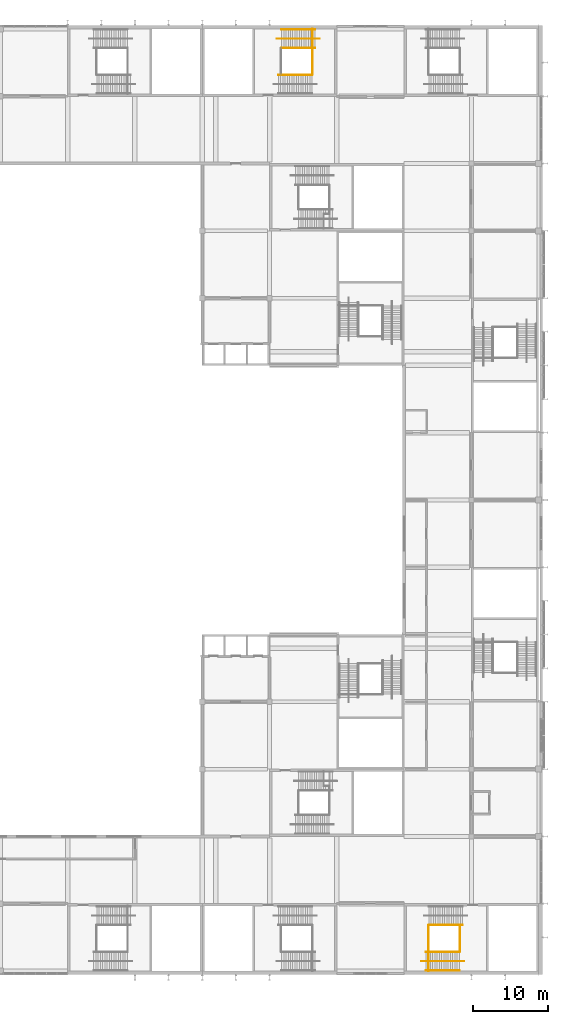
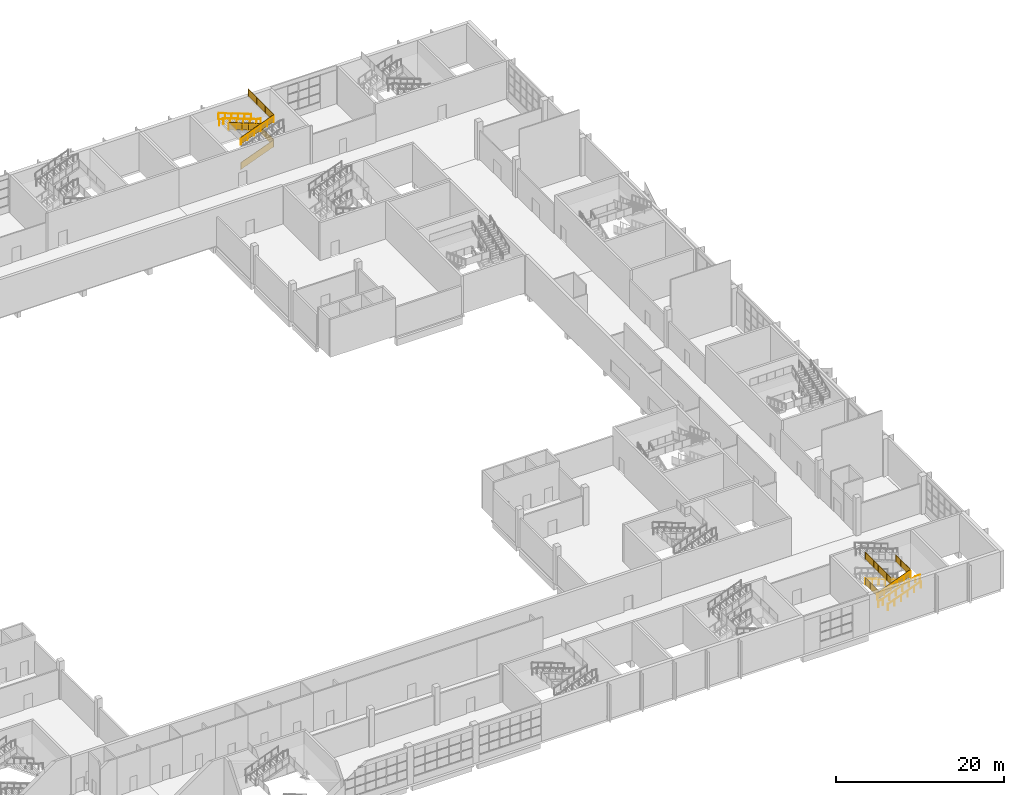
# One storey, part 78 of 84: 17 railings.
"""IFC4 building model written with IfcOpenShell, lengths in metres."""

from ifc_helpers import new_model, si_unit, direction, frame, origin, origin_2d, place, context, subcontext, project, spatial, polyline, circle, outline, extrude, material, type_object, element, save


model = new_model("IFC4")

# Units and contexts
model_context = context("Model", 3, precision=1e-05, world=origin(), true_north=direction((0.0, 1.0)))
body_context = subcontext(model_context, "Body", "Model", "MODEL_VIEW")
ifc_project = project(units=[si_unit("LENGTHUNIT", "METRE"), si_unit("AREAUNIT", "SQUARE_METRE"), si_unit("VOLUMEUNIT", "CUBIC_METRE"), si_unit("PLANEANGLEUNIT", "RADIAN"), si_unit("MASSUNIT", "GRAM", prefix="KILO")], contexts=[model_context])

# Site, building, storey
site_placement = place(None, origin())
site = spatial("IfcSite", under=ifc_project, at=site_placement, CompositionType="ELEMENT")
building_placement = place(site_placement, origin())
building = spatial("IfcBuilding", under=site, at=building_placement, Name="Silverbay Arena", CompositionType="ELEMENT")
storey_placement = place(building_placement, frame((0.0, 0.0, 28.0)))
storey = spatial("IfcBuildingStorey", under=building, at=storey_placement, Name="L04", CompositionType="ELEMENT", Elevation=28.0)

# Railings
ifc_material_1 = material(Name="Stainless steel", Category="steel")
railing_type_1 = type_object("IfcRailingType", Name="Stair guard 1100", PredefinedType="GUARDRAIL", material=ifc_material_1)
railing_1_placement = place(storey_placement, frame((172.1796875, 137.875, 0.114501953125)))
element("IfcRailing", 1, at=railing_1_placement, inside=storey, type_object=railing_type_1, Name="Stair ST-N4 L04 to L05 flight 1 guard right", PredefinedType="GUARDRAIL", context=body_context, shape_type="SweptSolid", body=[
    extrude(circle(Radius=0.02392578125, at=origin_2d()), frame((0.0, 0.0, 1.076171875), z_axis=(0.93417907455, 0.0, 0.356804507641), x_axis=(0.0, 1.0, 0.0)), (0.0, 0.0, 1.0), 4.817138671875),
    extrude(outline(polyline([(-0.008056640625, 0.046875), (0.907958984375, 0.396728515625), (0.907958984375, 1.39990234375), (-0.008056640625, 1.050048828125), (-0.008056640625, 0.046875)])), frame((0.0, 0.0029296875, 0.0), z_axis=(0.0, -1.0, 0.0), x_axis=(1.0, 0.0, 0.0)), (0.0, 0.0, 1.0), 0.006103515625),
    extrude(outline(polyline([(-0.008056640625, 0.390625), (0.907958984375, 0.740478515625), (0.907958984375, 1.74365234375), (-0.008056640625, 1.393798828125), (-0.008056640625, 0.390625)])), frame((0.89990234375, 0.0029296875, 0.0), z_axis=(0.0, -1.0, 0.0), x_axis=(1.0, 0.0, 0.0)), (0.0, 0.0, 1.0), 0.006103515625),
    extrude(outline(polyline([(-0.008056640625, 0.734375), (0.907958984375, 1.084228515625), (0.907958984375, 2.08740234375), (-0.008056640625, 1.737548828125), (-0.008056640625, 0.734375)])), frame((1.800048828125, 0.0029296875, 0.0), z_axis=(0.0, -1.0, 0.0), x_axis=(1.0, 0.0, 0.0)), (0.0, 0.0, 1.0), 0.006103515625),
    extrude(outline(polyline([(-0.008056640625, 1.078125), (0.907958984375, 1.427978515625), (0.907958984375, 2.43115234375), (-0.008056640625, 2.081298828125), (-0.008056640625, 1.078125)])), frame((2.699951171875, 0.0029296875, 0.0), z_axis=(0.0, -1.0, 0.0), x_axis=(1.0, 0.0, 0.0)), (0.0, 0.0, 1.0), 0.006103515625),
    extrude(outline(polyline([(-0.008056640625, 1.421875), (0.907958984375, 1.771728515625), (0.907958984375, 2.77490234375), (-0.008056640625, 2.425048828125), (-0.008056640625, 1.421875)])), frame((3.60009765625, 0.0029296875, 0.0), z_axis=(0.0, -1.0, 0.0), x_axis=(1.0, 0.0, 0.0)), (0.0, 0.0, 1.0), 0.006103515625),
    extrude(circle(Radius=0.02099609375, at=origin_2d()), origin(), (0.0, 0.0, 1.0), 1.052001953125),
    extrude(circle(Radius=0.02099609375, at=origin_2d()), frame((0.89990234375, 0.0, 0.34375)), (0.0, 0.0, 1.0), 1.052001953125),
    extrude(circle(Radius=0.02099609375, at=origin_2d()), frame((1.800048828125, 0.0, 0.6875)), (0.0, 0.0, 1.0), 1.052001953125),
    extrude(circle(Radius=0.02099609375, at=origin_2d()), frame((2.699951171875, 0.0, 1.03125)), (0.0, 0.0, 1.0), 1.052001953125),
    extrude(circle(Radius=0.02099609375, at=origin_2d()), frame((3.60009765625, 0.0, 1.375)), (0.0, 0.0, 1.0), 1.052001953125),
    extrude(circle(Radius=0.02099609375, at=origin_2d()), frame((4.5, 0.0, 1.71875)), (0.0, 0.0, 1.0), 1.052001953125),
])
railing_2_placement = place(storey_placement, frame((177.10009765625, 141.425048828125, 1.947998046875)))
element("IfcRailing", 2, at=railing_2_placement, inside=storey, type_object=railing_type_1, Name="Stair ST-N4 L04 to L05 flight 2 guard left", PredefinedType="GUARDRAIL", context=body_context, shape_type="SweptSolid", body=[
    extrude(circle(Radius=0.02392578125, at=origin_2d()), frame((0.0, 0.0, 1.076171875), z_axis=(-0.93417907455, 0.0, 0.356804507641), x_axis=(0.0, -1.0, 0.0)), (0.0, 0.0, 1.0), 4.817138671875),
    extrude(outline(polyline([(-0.008056640625, 0.046875), (0.907958984375, 0.396728515625), (0.907958984375, 1.39990234375), (-0.008056640625, 1.050048828125), (-0.008056640625, 0.046875)])), frame((0.0, -0.0029296875, 0.0), z_axis=(0.0, 1.0, 0.0), x_axis=(-1.0, 0.0, 0.0)), (0.0, 0.0, 1.0), 0.006103515625),
    extrude(outline(polyline([(-0.008056640625, 0.390625), (0.907958984375, 0.740478515625), (0.907958984375, 1.74365234375), (-0.008056640625, 1.393798828125), (-0.008056640625, 0.390625)])), frame((-0.89990234375, -0.0029296875, 0.0), z_axis=(0.0, 1.0, 0.0), x_axis=(-1.0, 0.0, 0.0)), (0.0, 0.0, 1.0), 0.006103515625),
    extrude(outline(polyline([(-0.008056640625, 0.734375), (0.907958984375, 1.084228515625), (0.907958984375, 2.08740234375), (-0.008056640625, 1.737548828125), (-0.008056640625, 0.734375)])), frame((-1.800048828125, -0.0029296875, 0.0), z_axis=(0.0, 1.0, 0.0), x_axis=(-1.0, 0.0, 0.0)), (0.0, 0.0, 1.0), 0.006103515625),
    extrude(outline(polyline([(-0.008056640625, 1.078125), (0.907958984375, 1.427978515625), (0.907958984375, 2.43115234375), (-0.008056640625, 2.081298828125), (-0.008056640625, 1.078125)])), frame((-2.699951171875, -0.0029296875, 0.0), z_axis=(0.0, 1.0, 0.0), x_axis=(-1.0, 0.0, 0.0)), (0.0, 0.0, 1.0), 0.006103515625),
    extrude(outline(polyline([(-0.008056640625, 1.421875), (0.907958984375, 1.771728515625), (0.907958984375, 2.77490234375), (-0.008056640625, 2.425048828125), (-0.008056640625, 1.421875)])), frame((-3.60009765625, -0.0029296875, 0.0), z_axis=(0.0, 1.0, 0.0), x_axis=(-1.0, 0.0, 0.0)), (0.0, 0.0, 1.0), 0.006103515625),
    extrude(circle(Radius=0.02099609375, at=origin_2d()), origin(), (0.0, 0.0, 1.0), 1.052001953125),
    extrude(circle(Radius=0.02099609375, at=origin_2d()), frame((-0.89990234375, 0.0, 0.34375)), (0.0, 0.0, 1.0), 1.052001953125),
    extrude(circle(Radius=0.02099609375, at=origin_2d()), frame((-1.800048828125, 0.0, 0.6875)), (0.0, 0.0, 1.0), 1.052001953125),
    extrude(circle(Radius=0.02099609375, at=origin_2d()), frame((-2.699951171875, 0.0, 1.03125)), (0.0, 0.0, 1.0), 1.052001953125),
    extrude(circle(Radius=0.02099609375, at=origin_2d()), frame((-3.60009765625, 0.0, 1.375)), (0.0, 0.0, 1.0), 1.052001953125),
    extrude(circle(Radius=0.02099609375, at=origin_2d()), frame((-4.5, 0.0, 1.71875)), (0.0, 0.0, 1.0), 1.052001953125),
])
railing_3_placement = place(storey_placement, frame((172.1796875, 137.875, 3.78125)))
element("IfcRailing", 3, at=railing_3_placement, inside=storey, type_object=railing_type_1, Name="Stair ST-N4 L04 to L05 flight 3 guard right", PredefinedType="GUARDRAIL", context=body_context, shape_type="SweptSolid", body=[
    extrude(circle(Radius=0.02392578125, at=origin_2d()), frame((0.0, 0.0, 1.076171875), z_axis=(0.93417907455, 0.0, 0.356804507641), x_axis=(0.0, 1.0, 0.0)), (0.0, 0.0, 1.0), 4.817138671875),
    extrude(outline(polyline([(-0.008056640625, 0.046875), (0.907958984375, 0.396728515625), (0.907958984375, 1.39990234375), (-0.008056640625, 1.050048828125), (-0.008056640625, 0.046875)])), frame((0.0, 0.0029296875, 0.0), z_axis=(0.0, -1.0, 0.0), x_axis=(1.0, 0.0, 0.0)), (0.0, 0.0, 1.0), 0.006103515625),
    extrude(outline(polyline([(-0.008056640625, 0.390625), (0.907958984375, 0.740478515625), (0.907958984375, 1.74365234375), (-0.008056640625, 1.393798828125), (-0.008056640625, 0.390625)])), frame((0.89990234375, 0.0029296875, 0.0), z_axis=(0.0, -1.0, 0.0), x_axis=(1.0, 0.0, 0.0)), (0.0, 0.0, 1.0), 0.006103515625),
    extrude(outline(polyline([(-0.008056640625, 0.734375), (0.907958984375, 1.084228515625), (0.907958984375, 2.08740234375), (-0.008056640625, 1.737548828125), (-0.008056640625, 0.734375)])), frame((1.800048828125, 0.0029296875, 0.0), z_axis=(0.0, -1.0, 0.0), x_axis=(1.0, 0.0, 0.0)), (0.0, 0.0, 1.0), 0.006103515625),
    extrude(outline(polyline([(-0.008056640625, 1.078125), (0.907958984375, 1.427978515625), (0.907958984375, 2.43115234375), (-0.008056640625, 2.081298828125), (-0.008056640625, 1.078125)])), frame((2.699951171875, 0.0029296875, 0.0), z_axis=(0.0, -1.0, 0.0), x_axis=(1.0, 0.0, 0.0)), (0.0, 0.0, 1.0), 0.006103515625),
    extrude(outline(polyline([(-0.008056640625, 1.421875), (0.907958984375, 1.771728515625), (0.907958984375, 2.77490234375), (-0.008056640625, 2.425048828125), (-0.008056640625, 1.421875)])), frame((3.60009765625, 0.0029296875, 0.0), z_axis=(0.0, -1.0, 0.0), x_axis=(1.0, 0.0, 0.0)), (0.0, 0.0, 1.0), 0.006103515625),
    extrude(circle(Radius=0.02099609375, at=origin_2d()), origin(), (0.0, 0.0, 1.0), 1.052001953125),
    extrude(circle(Radius=0.02099609375, at=origin_2d()), frame((0.89990234375, 0.0, 0.34375)), (0.0, 0.0, 1.0), 1.052001953125),
    extrude(circle(Radius=0.02099609375, at=origin_2d()), frame((1.800048828125, 0.0, 0.6875)), (0.0, 0.0, 1.0), 1.052001953125),
    extrude(circle(Radius=0.02099609375, at=origin_2d()), frame((2.699951171875, 0.0, 1.03125)), (0.0, 0.0, 1.0), 1.052001953125),
    extrude(circle(Radius=0.02099609375, at=origin_2d()), frame((3.60009765625, 0.0, 1.375)), (0.0, 0.0, 1.0), 1.052001953125),
    extrude(circle(Radius=0.02099609375, at=origin_2d()), frame((4.5, 0.0, 1.71875)), (0.0, 0.0, 1.0), 1.052001953125),
])
railing_4_placement = place(storey_placement, frame((176.7294921875, 137.89990234375, 1.833251953125)))
element("IfcRailing", 4, at=railing_4_placement, inside=storey, type_object=railing_type_1, Name="Stair ST-N4 L04 to L05 landing 1 guard", PredefinedType="GUARDRAIL", context=body_context, shape_type="SweptSolid", body=[
    extrude(circle(Radius=0.02392578125, at=origin_2d()), frame((0.0, 0.0, 1.076171875), z_axis=(0.0, 1.0, 0.0), x_axis=(-1.0, 0.0, 0.0)), (0.0, 0.0, 1.0), 3.5),
    extrude(outline(polyline([(-0.008056640625, 0.050048828125), (1.174560546875, 0.050048828125), (1.174560546875, 1.052978515625), (-0.008056640625, 1.052978515625), (-0.008056640625, 0.050048828125)])), frame((-0.0029296875, 0.0, 0.0), z_axis=(1.0, 0.0, 0.0), x_axis=(0.0, 1.0, 0.0)), (0.0, 0.0, 1.0), 0.006103515625),
    extrude(outline(polyline([(-0.008056640625, 0.050048828125), (1.174560546875, 0.050048828125), (1.174560546875, 1.052978515625), (-0.008056640625, 1.052978515625), (-0.008056640625, 0.050048828125)])), frame((-0.0029296875, 1.166748046875, 0.0), z_axis=(1.0, 0.0, 0.0), x_axis=(0.0, 1.0, 0.0)), (0.0, 0.0, 1.0), 0.006103515625),
    extrude(outline(polyline([(-0.008056640625, 0.050048828125), (1.174560546875, 0.050048828125), (1.174560546875, 1.052978515625), (-0.008056640625, 1.052978515625), (-0.008056640625, 0.050048828125)])), frame((-0.0029296875, 2.333251953125, 0.0), z_axis=(1.0, 0.0, 0.0), x_axis=(0.0, 1.0, 0.0)), (0.0, 0.0, 1.0), 0.006103515625),
    extrude(circle(Radius=0.02099609375, at=origin_2d()), origin(), (0.0, 0.0, 1.0), 1.052001953125),
    extrude(circle(Radius=0.02099609375, at=origin_2d()), frame((0.0, 1.166748046875, 0.0)), (0.0, 0.0, 1.0), 1.052001953125),
    extrude(circle(Radius=0.02099609375, at=origin_2d()), frame((0.0, 2.333251953125, 0.0)), (0.0, 0.0, 1.0), 1.052001953125),
    extrude(circle(Radius=0.02099609375, at=origin_2d()), frame((0.0, 3.5, 0.0)), (0.0, 0.0, 1.0), 1.052001953125),
])
railing_5_placement = place(storey_placement, frame((176.7294921875, 137.89990234375, 5.5)))
element("IfcRailing", 5, at=railing_5_placement, inside=storey, type_object=railing_type_1, Name="Stair ST-N4 L04 to L05 landing 3 guard", PredefinedType="GUARDRAIL", context=body_context, shape_type="SweptSolid", body=[
    extrude(circle(Radius=0.02392578125, at=origin_2d()), frame((0.0, 0.0, 1.076171875), z_axis=(0.0, 1.0, 0.0), x_axis=(-1.0, 0.0, 0.0)), (0.0, 0.0, 1.0), 6.10009765625),
    extrude(outline(polyline([(-0.008056640625, 0.050048828125), (1.024658203125, 0.050048828125), (1.024658203125, 1.052978515625), (-0.008056640625, 1.052978515625), (-0.008056640625, 0.050048828125)])), frame((-0.0029296875, 0.0, 0.0), z_axis=(1.0, 0.0, 0.0), x_axis=(0.0, 1.0, 0.0)), (0.0, 0.0, 1.0), 0.006103515625),
    extrude(outline(polyline([(-0.008056640625, 0.050048828125), (1.024658203125, 0.050048828125), (1.024658203125, 1.052978515625), (-0.008056640625, 1.052978515625), (-0.008056640625, 0.050048828125)])), frame((-0.0029296875, 1.0166015625, 0.0), z_axis=(1.0, 0.0, 0.0), x_axis=(0.0, 1.0, 0.0)), (0.0, 0.0, 1.0), 0.006103515625),
    extrude(outline(polyline([(-0.008056640625, 0.050048828125), (1.024658203125, 0.050048828125), (1.024658203125, 1.052978515625), (-0.008056640625, 1.052978515625), (-0.008056640625, 0.050048828125)])), frame((-0.0029296875, 2.033447265625, 0.0), z_axis=(1.0, 0.0, 0.0), x_axis=(0.0, 1.0, 0.0)), (0.0, 0.0, 1.0), 0.006103515625),
    extrude(outline(polyline([(-0.008056640625, 0.050048828125), (1.024658203125, 0.050048828125), (1.024658203125, 1.052978515625), (-0.008056640625, 1.052978515625), (-0.008056640625, 0.050048828125)])), frame((-0.0029296875, 3.050048828125, 0.0), z_axis=(1.0, 0.0, 0.0), x_axis=(0.0, 1.0, 0.0)), (0.0, 0.0, 1.0), 0.006103515625),
    extrude(outline(polyline([(-0.008056640625, 0.050048828125), (1.024658203125, 0.050048828125), (1.024658203125, 1.052978515625), (-0.008056640625, 1.052978515625), (-0.008056640625, 0.050048828125)])), frame((-0.0029296875, 4.066650390625, 0.0), z_axis=(1.0, 0.0, 0.0), x_axis=(0.0, 1.0, 0.0)), (0.0, 0.0, 1.0), 0.006103515625),
    extrude(outline(polyline([(-0.008056640625, 0.050048828125), (1.024658203125, 0.050048828125), (1.024658203125, 1.052978515625), (-0.008056640625, 1.052978515625), (-0.008056640625, 0.050048828125)])), frame((-0.0029296875, 5.08349609375, 0.0), z_axis=(1.0, 0.0, 0.0), x_axis=(0.0, 1.0, 0.0)), (0.0, 0.0, 1.0), 0.006103515625),
    extrude(circle(Radius=0.02099609375, at=origin_2d()), origin(), (0.0, 0.0, 1.0), 1.052001953125),
    extrude(circle(Radius=0.02099609375, at=origin_2d()), frame((0.0, 1.0166015625, 0.0)), (0.0, 0.0, 1.0), 1.052001953125),
    extrude(circle(Radius=0.02099609375, at=origin_2d()), frame((0.0, 2.033447265625, 0.0)), (0.0, 0.0, 1.0), 1.052001953125),
    extrude(circle(Radius=0.02099609375, at=origin_2d()), frame((0.0, 3.050048828125, 0.0)), (0.0, 0.0, 1.0), 1.052001953125),
    extrude(circle(Radius=0.02099609375, at=origin_2d()), frame((0.0, 4.066650390625, 0.0)), (0.0, 0.0, 1.0), 1.052001953125),
    extrude(circle(Radius=0.02099609375, at=origin_2d()), frame((0.0, 5.08349609375, 0.0)), (0.0, 0.0, 1.0), 1.052001953125),
    extrude(circle(Radius=0.02099609375, at=origin_2d()), frame((0.0, 6.10009765625, 0.0)), (0.0, 0.0, 1.0), 1.052001953125),
])
railing_6_placement = place(storey_placement, frame((191.89990234375, 20.574951171875, 1.947998046875)))
element("IfcRailing", 6, at=railing_6_placement, inside=storey, type_object=railing_type_1, Name="Stair ST-S6 L04 to L05 flight 2 guard left", PredefinedType="GUARDRAIL", context=body_context, shape_type="SweptSolid", body=[
    extrude(circle(Radius=0.02392578125, at=origin_2d()), frame((0.0, 0.0, 1.076171875), z_axis=(0.93417907455, 0.0, 0.356804507641), x_axis=(0.0, 1.0, 0.0)), (0.0, 0.0, 1.0), 4.817138671875),
    extrude(outline(polyline([(-0.008056640625, 0.046875), (0.907958984375, 0.396728515625), (0.907958984375, 1.39990234375), (-0.008056640625, 1.050048828125), (-0.008056640625, 0.046875)])), frame((0.0, 0.0029296875, 0.0), z_axis=(0.0, -1.0, 0.0), x_axis=(1.0, 0.0, 0.0)), (0.0, 0.0, 1.0), 0.006103515625),
    extrude(outline(polyline([(-0.008056640625, 0.390625), (0.907958984375, 0.740478515625), (0.907958984375, 1.74365234375), (-0.008056640625, 1.393798828125), (-0.008056640625, 0.390625)])), frame((0.89990234375, 0.0029296875, 0.0), z_axis=(0.0, -1.0, 0.0), x_axis=(1.0, 0.0, 0.0)), (0.0, 0.0, 1.0), 0.006103515625),
    extrude(outline(polyline([(-0.008056640625, 0.734375), (0.907958984375, 1.084228515625), (0.907958984375, 2.08740234375), (-0.008056640625, 1.737548828125), (-0.008056640625, 0.734375)])), frame((1.800048828125, 0.0029296875, 0.0), z_axis=(0.0, -1.0, 0.0), x_axis=(1.0, 0.0, 0.0)), (0.0, 0.0, 1.0), 0.006103515625),
    extrude(outline(polyline([(-0.008056640625, 1.078125), (0.907958984375, 1.427978515625), (0.907958984375, 2.43115234375), (-0.008056640625, 2.081298828125), (-0.008056640625, 1.078125)])), frame((2.699951171875, 0.0029296875, 0.0), z_axis=(0.0, -1.0, 0.0), x_axis=(1.0, 0.0, 0.0)), (0.0, 0.0, 1.0), 0.006103515625),
    extrude(outline(polyline([(-0.008056640625, 1.421875), (0.907958984375, 1.771728515625), (0.907958984375, 2.77490234375), (-0.008056640625, 2.425048828125), (-0.008056640625, 1.421875)])), frame((3.60009765625, 0.0029296875, 0.0), z_axis=(0.0, -1.0, 0.0), x_axis=(1.0, 0.0, 0.0)), (0.0, 0.0, 1.0), 0.006103515625),
    extrude(circle(Radius=0.02099609375, at=origin_2d()), origin(), (0.0, 0.0, 1.0), 1.052001953125),
    extrude(circle(Radius=0.02099609375, at=origin_2d()), frame((0.89990234375, 0.0, 0.34375)), (0.0, 0.0, 1.0), 1.052001953125),
    extrude(circle(Radius=0.02099609375, at=origin_2d()), frame((1.800048828125, 0.0, 0.6875)), (0.0, 0.0, 1.0), 1.052001953125),
    extrude(circle(Radius=0.02099609375, at=origin_2d()), frame((2.699951171875, 0.0, 1.03125)), (0.0, 0.0, 1.0), 1.052001953125),
    extrude(circle(Radius=0.02099609375, at=origin_2d()), frame((3.60009765625, 0.0, 1.375)), (0.0, 0.0, 1.0), 1.052001953125),
    extrude(circle(Radius=0.02099609375, at=origin_2d()), frame((4.5, 0.0, 1.71875)), (0.0, 0.0, 1.0), 1.052001953125),
])
for number, where, name in (
    (7, (192.2705078125, 24.10009765625, 1.833251953125), "Stair ST-S6 L04 to L05 landing 1 guard"),
    (8, (196.449951171875, 24.10009765625, 3.666748046875), "Stair ST-S6 L04 to L05 landing 2 guard"),
):
    element("IfcRailing", number, at=place(storey_placement, frame(where)), inside=storey, type_object=railing_type_1, Name=name, PredefinedType="GUARDRAIL", context=body_context, shape_type="SweptSolid", body=[
        extrude(circle(Radius=0.02392578125, at=origin_2d()), frame((0.0, 0.0, 1.076171875), z_axis=(0.0, -1.0, 0.0), x_axis=(1.0, 0.0, 0.0)), (0.0, 0.0, 1.0), 3.5),
        extrude(outline(polyline([(-0.008056640625, 0.050048828125), (1.174560546875, 0.050048828125), (1.174560546875, 1.052978515625), (-0.008056640625, 1.052978515625), (-0.008056640625, 0.050048828125)])), frame((0.0029296875, 0.0, 0.0), z_axis=(-1.0, 0.0, 0.0), x_axis=(0.0, -1.0, 0.0)), (0.0, 0.0, 1.0), 0.006103515625),
        extrude(outline(polyline([(-0.008056640625, 0.050048828125), (1.174560546875, 0.050048828125), (1.174560546875, 1.052978515625), (-0.008056640625, 1.052978515625), (-0.008056640625, 0.050048828125)])), frame((0.0029296875, -1.166748046875, 0.0), z_axis=(-1.0, 0.0, 0.0), x_axis=(0.0, -1.0, 0.0)), (0.0, 0.0, 1.0), 0.006103515625),
        extrude(outline(polyline([(-0.008056640625, 0.050048828125), (1.174560546875, 0.050048828125), (1.174560546875, 1.052978515625), (-0.008056640625, 1.052978515625), (-0.008056640625, 0.050048828125)])), frame((0.0029296875, -2.333251953125, 0.0), z_axis=(-1.0, 0.0, 0.0), x_axis=(0.0, -1.0, 0.0)), (0.0, 0.0, 1.0), 0.006103515625),
        extrude(circle(Radius=0.02099609375, at=origin_2d()), origin(), (0.0, 0.0, 1.0), 1.052001953125),
        extrude(circle(Radius=0.02099609375, at=origin_2d()), frame((0.0, -1.166748046875, 0.0)), (0.0, 0.0, 1.0), 1.052001953125),
        extrude(circle(Radius=0.02099609375, at=origin_2d()), frame((0.0, -2.333251953125, 0.0)), (0.0, 0.0, 1.0), 1.052001953125),
        extrude(circle(Radius=0.02099609375, at=origin_2d()), frame((0.0, -3.5, 0.0)), (0.0, 0.0, 1.0), 1.052001953125),
    ])
railing_7_placement = place(storey_placement, frame((192.2705078125, 24.10009765625, 5.5)))
element("IfcRailing", 9, at=railing_7_placement, inside=storey, type_object=railing_type_1, Name="Stair ST-S6 L04 to L05 landing 3 guard", PredefinedType="GUARDRAIL", context=body_context, shape_type="SweptSolid", body=[
    extrude(circle(Radius=0.02392578125, at=origin_2d()), frame((0.0, 0.0, 1.076171875), z_axis=(0.0, -1.0, 0.0), x_axis=(1.0, 0.0, 0.0)), (0.0, 0.0, 1.0), 6.10009765625),
    extrude(outline(polyline([(-0.008056640625, 0.050048828125), (1.024658203125, 0.050048828125), (1.024658203125, 1.052978515625), (-0.008056640625, 1.052978515625), (-0.008056640625, 0.050048828125)])), frame((0.0029296875, 0.0, 0.0), z_axis=(-1.0, 0.0, 0.0), x_axis=(0.0, -1.0, 0.0)), (0.0, 0.0, 1.0), 0.006103515625),
    extrude(outline(polyline([(-0.008056640625, 0.050048828125), (1.024658203125, 0.050048828125), (1.024658203125, 1.052978515625), (-0.008056640625, 1.052978515625), (-0.008056640625, 0.050048828125)])), frame((0.0029296875, -1.0166015625, 0.0), z_axis=(-1.0, 0.0, 0.0), x_axis=(0.0, -1.0, 0.0)), (0.0, 0.0, 1.0), 0.006103515625),
    extrude(outline(polyline([(-0.008056640625, 0.050048828125), (1.024658203125, 0.050048828125), (1.024658203125, 1.052978515625), (-0.008056640625, 1.052978515625), (-0.008056640625, 0.050048828125)])), frame((0.0029296875, -2.033447265625, 0.0), z_axis=(-1.0, 0.0, 0.0), x_axis=(0.0, -1.0, 0.0)), (0.0, 0.0, 1.0), 0.006103515625),
    extrude(outline(polyline([(-0.008056640625, 0.050048828125), (1.024658203125, 0.050048828125), (1.024658203125, 1.052978515625), (-0.008056640625, 1.052978515625), (-0.008056640625, 0.050048828125)])), frame((0.0029296875, -3.050048828125, 0.0), z_axis=(-1.0, 0.0, 0.0), x_axis=(0.0, -1.0, 0.0)), (0.0, 0.0, 1.0), 0.006103515625),
    extrude(outline(polyline([(-0.008056640625, 0.050048828125), (1.024658203125, 0.050048828125), (1.024658203125, 1.052978515625), (-0.008056640625, 1.052978515625), (-0.008056640625, 0.050048828125)])), frame((0.0029296875, -4.066650390625, 0.0), z_axis=(-1.0, 0.0, 0.0), x_axis=(0.0, -1.0, 0.0)), (0.0, 0.0, 1.0), 0.006103515625),
    extrude(outline(polyline([(-0.008056640625, 0.050048828125), (1.024658203125, 0.050048828125), (1.024658203125, 1.052978515625), (-0.008056640625, 1.052978515625), (-0.008056640625, 0.050048828125)])), frame((0.0029296875, -5.08349609375, 0.0), z_axis=(-1.0, 0.0, 0.0), x_axis=(0.0, -1.0, 0.0)), (0.0, 0.0, 1.0), 0.006103515625),
    extrude(circle(Radius=0.02099609375, at=origin_2d()), origin(), (0.0, 0.0, 1.0), 1.052001953125),
    extrude(circle(Radius=0.02099609375, at=origin_2d()), frame((0.0, -1.0166015625, 0.0)), (0.0, 0.0, 1.0), 1.052001953125),
    extrude(circle(Radius=0.02099609375, at=origin_2d()), frame((0.0, -2.033447265625, 0.0)), (0.0, 0.0, 1.0), 1.052001953125),
    extrude(circle(Radius=0.02099609375, at=origin_2d()), frame((0.0, -3.050048828125, 0.0)), (0.0, 0.0, 1.0), 1.052001953125),
    extrude(circle(Radius=0.02099609375, at=origin_2d()), frame((0.0, -4.066650390625, 0.0)), (0.0, 0.0, 1.0), 1.052001953125),
    extrude(circle(Radius=0.02099609375, at=origin_2d()), frame((0.0, -5.08349609375, 0.0)), (0.0, 0.0, 1.0), 1.052001953125),
    extrude(circle(Radius=0.02099609375, at=origin_2d()), frame((0.0, -6.10009765625, 0.0)), (0.0, 0.0, 1.0), 1.052001953125),
])
ifc_material_2 = material(Name="Stainless steel", Category="steel")
railing_type_2 = type_object("IfcRailingType", Name="Stair handrail 900", PredefinedType="HANDRAIL", material=ifc_material_2)
for number, where, name in (
    (10, (177.10009765625, 141.464111328125, 1.947998046875), "Stair ST-N4 L04 to L05 flight 2 handrail left"),
    (11, (177.10009765625, 143.949951171875, 1.947998046875), "Stair ST-N4 L04 to L05 flight 2 handrail right"),
):
    element("IfcRailing", number, at=place(storey_placement, frame(where)), inside=storey, type_object=railing_type_2, Name=name, PredefinedType="HANDRAIL", context=body_context, shape_type="SweptSolid", body=[
        extrude(circle(Radius=0.02392578125, at=origin_2d()), frame((0.0, 0.0, 0.8759765625), z_axis=(-0.93417907455, 0.0, 0.356804507641), x_axis=(0.0, -1.0, 0.0)), (0.0, 0.0, 1.0), 4.817138671875),
        extrude(circle(Radius=0.02099609375, at=origin_2d()), origin(), (0.0, 0.0, 1.0), 0.851806640625),
        extrude(circle(Radius=0.02099609375, at=origin_2d()), frame((-0.89990234375, 0.0, 0.34375)), (0.0, 0.0, 1.0), 0.851806640625),
        extrude(circle(Radius=0.02099609375, at=origin_2d()), frame((-1.800048828125, 0.0, 0.6875)), (0.0, 0.0, 1.0), 0.851806640625),
        extrude(circle(Radius=0.02099609375, at=origin_2d()), frame((-2.699951171875, 0.0, 1.03125)), (0.0, 0.0, 1.0), 0.851806640625),
        extrude(circle(Radius=0.02099609375, at=origin_2d()), frame((-3.60009765625, 0.0, 1.375)), (0.0, 0.0, 1.0), 0.851806640625),
        extrude(circle(Radius=0.02099609375, at=origin_2d()), frame((-4.5, 0.0, 1.71875)), (0.0, 0.0, 1.0), 0.851806640625),
    ])
railing_8_placement = place(storey_placement, frame((177.699951171875, 142.699951171875, 1.833251953125)))
element("IfcRailing", 12, at=railing_8_placement, inside=storey, type_object=railing_type_2, Name="Stair ST-N4 L04 to L05 flight 2 central handrail", PredefinedType="HANDRAIL", context=body_context, shape_type="SweptSolid", body=[
    extrude(circle(Radius=0.02392578125, at=origin_2d()), frame((0.0, 0.0, 0.8759765625), z_axis=(-0.982191308576, 0.0, 0.187883563301), x_axis=(0.0, -1.0, 0.0)), (0.0, 0.0, 1.0), 0.61083984375),
    extrude(circle(Radius=0.02392578125, at=origin_2d()), frame((-0.599853515625, 0.0, 0.99072265625), z_axis=(-0.93417907455, 0.0, 0.356804507641), x_axis=(0.0, -1.0, 0.0)), (0.0, 0.0, 1.0), 4.817138671875),
    extrude(circle(Radius=0.02392578125, at=origin_2d()), frame((-5.099853515625, 0.0, 2.70947265625), z_axis=(-1.0, 0.0, 0.0), x_axis=(0.0, -1.0, 0.0)), (0.0, 0.0, 1.0), 0.60009765625),
    extrude(circle(Radius=0.02099609375, at=origin_2d()), origin(), (0.0, 0.0, 1.0), 0.851806640625),
    extrude(circle(Radius=0.02099609375, at=origin_2d()), frame((-0.599853515625, 0.0, 0.11474609375)), (0.0, 0.0, 1.0), 0.851806640625),
    extrude(circle(Radius=0.02099609375, at=origin_2d()), frame((-1.499755859375, 0.0, 0.45849609375)), (0.0, 0.0, 1.0), 0.851806640625),
    extrude(circle(Radius=0.02099609375, at=origin_2d()), frame((-2.39990234375, 0.0, 0.80224609375)), (0.0, 0.0, 1.0), 0.851806640625),
    extrude(circle(Radius=0.02099609375, at=origin_2d()), frame((-3.2998046875, 0.0, 1.14599609375)), (0.0, 0.0, 1.0), 0.851806640625),
    extrude(circle(Radius=0.02099609375, at=origin_2d()), frame((-4.199951171875, 0.0, 1.48974609375)), (0.0, 0.0, 1.0), 0.851806640625),
    extrude(circle(Radius=0.02099609375, at=origin_2d()), frame((-5.099853515625, 0.0, 1.83349609375)), (0.0, 0.0, 1.0), 0.851806640625),
    extrude(circle(Radius=0.02099609375, at=origin_2d()), frame((-5.699951171875, 0.0, 1.83349609375)), (0.0, 0.0, 1.0), 0.851806640625),
])
railing_9_placement = place(storey_placement, frame((172.1796875, 137.8359375, 3.78125)))
element("IfcRailing", 13, at=railing_9_placement, inside=storey, type_object=railing_type_2, Name="Stair ST-N4 L04 to L05 flight 3 handrail right", PredefinedType="HANDRAIL", context=body_context, shape_type="SweptSolid", body=[
    extrude(circle(Radius=0.02392578125, at=origin_2d()), frame((0.0, 0.0, 0.8759765625), z_axis=(0.93417907455, 0.0, 0.356804507641), x_axis=(0.0, 1.0, 0.0)), (0.0, 0.0, 1.0), 4.817138671875),
    extrude(circle(Radius=0.02099609375, at=origin_2d()), origin(), (0.0, 0.0, 1.0), 0.851806640625),
    extrude(circle(Radius=0.02099609375, at=origin_2d()), frame((0.89990234375, 0.0, 0.34375)), (0.0, 0.0, 1.0), 0.851806640625),
    extrude(circle(Radius=0.02099609375, at=origin_2d()), frame((1.800048828125, 0.0, 0.6875)), (0.0, 0.0, 1.0), 0.851806640625),
    extrude(circle(Radius=0.02099609375, at=origin_2d()), frame((2.699951171875, 0.0, 1.03125)), (0.0, 0.0, 1.0), 0.851806640625),
    extrude(circle(Radius=0.02099609375, at=origin_2d()), frame((3.60009765625, 0.0, 1.375)), (0.0, 0.0, 1.0), 0.851806640625),
    extrude(circle(Radius=0.02099609375, at=origin_2d()), frame((4.5, 0.0, 1.71875)), (0.0, 0.0, 1.0), 0.851806640625),
])
railing_10_placement = place(storey_placement, frame((196.8203125, 24.1640625, 0.114501953125)))
element("IfcRailing", 14, at=railing_10_placement, inside=storey, type_object=railing_type_2, Name="Stair ST-S6 L04 to L05 flight 1 handrail right", PredefinedType="HANDRAIL", context=body_context, shape_type="SweptSolid", body=[
    extrude(circle(Radius=0.02392578125, at=origin_2d()), frame((0.0, 0.0, 0.8759765625), z_axis=(-0.93417907455, 0.0, 0.356804507641), x_axis=(0.0, -1.0, 0.0)), (0.0, 0.0, 1.0), 4.817138671875),
    extrude(circle(Radius=0.02099609375, at=origin_2d()), origin(), (0.0, 0.0, 1.0), 0.851806640625),
    extrude(circle(Radius=0.02099609375, at=origin_2d()), frame((-0.89990234375, 0.0, 0.34375)), (0.0, 0.0, 1.0), 0.851806640625),
    extrude(circle(Radius=0.02099609375, at=origin_2d()), frame((-1.800048828125, 0.0, 0.6875)), (0.0, 0.0, 1.0), 0.851806640625),
    extrude(circle(Radius=0.02099609375, at=origin_2d()), frame((-2.699951171875, 0.0, 1.03125)), (0.0, 0.0, 1.0), 0.851806640625),
    extrude(circle(Radius=0.02099609375, at=origin_2d()), frame((-3.60009765625, 0.0, 1.375)), (0.0, 0.0, 1.0), 0.851806640625),
    extrude(circle(Radius=0.02099609375, at=origin_2d()), frame((-4.5, 0.0, 1.71875)), (0.0, 0.0, 1.0), 0.851806640625),
])
for number, where, name in (
    (15, (191.89990234375, 20.535888671875, 1.947998046875), "Stair ST-S6 L04 to L05 flight 2 handrail left"),
    (16, (191.89990234375, 18.050048828125, 1.947998046875), "Stair ST-S6 L04 to L05 flight 2 handrail right"),
):
    element("IfcRailing", number, at=place(storey_placement, frame(where)), inside=storey, type_object=railing_type_2, Name=name, PredefinedType="HANDRAIL", context=body_context, shape_type="SweptSolid", body=[
        extrude(circle(Radius=0.02392578125, at=origin_2d()), frame((0.0, 0.0, 0.8759765625), z_axis=(0.93417907455, 0.0, 0.356804507641), x_axis=(0.0, 1.0, 0.0)), (0.0, 0.0, 1.0), 4.817138671875),
        extrude(circle(Radius=0.02099609375, at=origin_2d()), origin(), (0.0, 0.0, 1.0), 0.851806640625),
        extrude(circle(Radius=0.02099609375, at=origin_2d()), frame((0.89990234375, 0.0, 0.34375)), (0.0, 0.0, 1.0), 0.851806640625),
        extrude(circle(Radius=0.02099609375, at=origin_2d()), frame((1.800048828125, 0.0, 0.6875)), (0.0, 0.0, 1.0), 0.851806640625),
        extrude(circle(Radius=0.02099609375, at=origin_2d()), frame((2.699951171875, 0.0, 1.03125)), (0.0, 0.0, 1.0), 0.851806640625),
        extrude(circle(Radius=0.02099609375, at=origin_2d()), frame((3.60009765625, 0.0, 1.375)), (0.0, 0.0, 1.0), 0.851806640625),
        extrude(circle(Radius=0.02099609375, at=origin_2d()), frame((4.5, 0.0, 1.71875)), (0.0, 0.0, 1.0), 0.851806640625),
    ])
railing_11_placement = place(storey_placement, frame((191.300048828125, 19.300048828125, 1.833251953125)))
element("IfcRailing", 17, at=railing_11_placement, inside=storey, type_object=railing_type_2, Name="Stair ST-S6 L04 to L05 flight 2 central handrail", PredefinedType="HANDRAIL", context=body_context, shape_type="SweptSolid", body=[
    extrude(circle(Radius=0.02392578125, at=origin_2d()), frame((0.0, 0.0, 0.8759765625), z_axis=(0.982191308576, 0.0, 0.187883563301), x_axis=(0.0, 1.0, 0.0)), (0.0, 0.0, 1.0), 0.61083984375),
    extrude(circle(Radius=0.02392578125, at=origin_2d()), frame((0.599853515625, 0.0, 0.99072265625), z_axis=(0.93417907455, 0.0, 0.356804507641), x_axis=(0.0, 1.0, 0.0)), (0.0, 0.0, 1.0), 4.817138671875),
    extrude(circle(Radius=0.02392578125, at=origin_2d()), frame((5.099853515625, 0.0, 2.70947265625), z_axis=(1.0, 0.0, 0.0), x_axis=(0.0, 1.0, 0.0)), (0.0, 0.0, 1.0), 0.60009765625),
    extrude(circle(Radius=0.02099609375, at=origin_2d()), origin(), (0.0, 0.0, 1.0), 0.851806640625),
    extrude(circle(Radius=0.02099609375, at=origin_2d()), frame((0.599853515625, 0.0, 0.11474609375)), (0.0, 0.0, 1.0), 0.851806640625),
    extrude(circle(Radius=0.02099609375, at=origin_2d()), frame((1.499755859375, 0.0, 0.45849609375)), (0.0, 0.0, 1.0), 0.851806640625),
    extrude(circle(Radius=0.02099609375, at=origin_2d()), frame((2.39990234375, 0.0, 0.80224609375)), (0.0, 0.0, 1.0), 0.851806640625),
    extrude(circle(Radius=0.02099609375, at=origin_2d()), frame((3.2998046875, 0.0, 1.14599609375)), (0.0, 0.0, 1.0), 0.851806640625),
    extrude(circle(Radius=0.02099609375, at=origin_2d()), frame((4.199951171875, 0.0, 1.48974609375)), (0.0, 0.0, 1.0), 0.851806640625),
    extrude(circle(Radius=0.02099609375, at=origin_2d()), frame((5.099853515625, 0.0, 1.83349609375)), (0.0, 0.0, 1.0), 0.851806640625),
    extrude(circle(Radius=0.02099609375, at=origin_2d()), frame((5.699951171875, 0.0, 1.83349609375)), (0.0, 0.0, 1.0), 0.851806640625),
])

save(model, "model.ifc")
